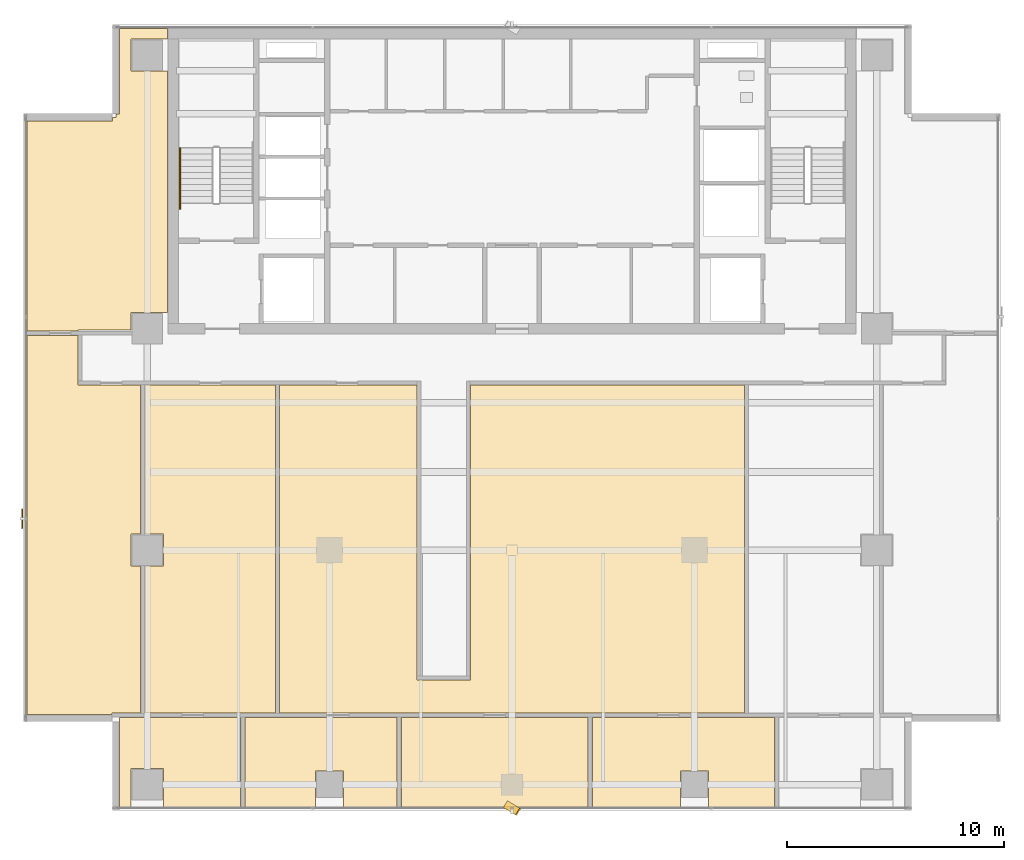
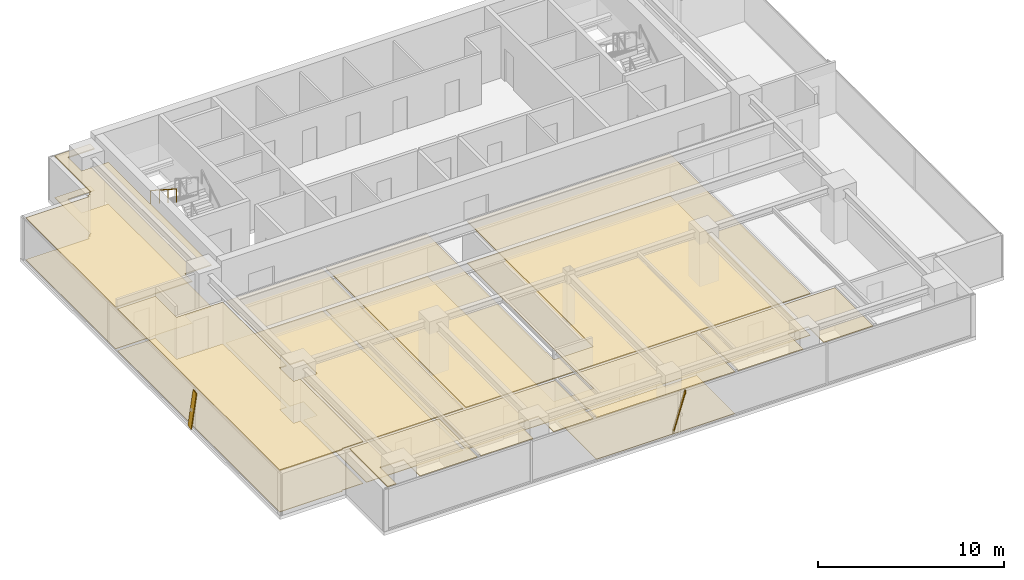
# One storey, part 23 of 26: 13 coverings, 2 shading devices, 1 railing.
"""IFC4 building model written with IfcOpenShell, lengths in metres."""

from ifc_helpers import new_model, si_unit, direction, frame, origin, origin_2d, place, context, subcontext, project, spatial, polyline, rectangle, outline, extrude, source, transform, mapped, material, layer, layer_set, material_profile, profile_set, type_object, element, save


model = new_model("IFC4")

# Units and contexts
model_context = context("Model", 3, precision=1e-05, world=origin(), true_north=direction((0.0, 1.0)))
body_context = subcontext(model_context, "Body", "Model", "MODEL_VIEW")
ifc_project = project(units=[si_unit("LENGTHUNIT", "METRE"), si_unit("AREAUNIT", "SQUARE_METRE"), si_unit("VOLUMEUNIT", "CUBIC_METRE"), si_unit("PLANEANGLEUNIT", "RADIAN"), si_unit("MASSUNIT", "GRAM", prefix="KILO")], contexts=[model_context])

# Site, building, storey
site_placement = place(None, origin())
site = spatial("IfcSite", under=ifc_project, at=site_placement, CompositionType="ELEMENT")
building_placement = place(site_placement, origin())
building = spatial("IfcBuilding", under=site, at=building_placement, Name="Sumidabori Civic Tower", CompositionType="ELEMENT")
storey_placement = place(building_placement, frame((0.0, 0.0, 261.199951171875)))
storey = spatial("IfcBuildingStorey", under=building, at=storey_placement, Name="L68", CompositionType="ELEMENT", Elevation=261.199951171875)

# Coverings
ifc_material_1 = material(Name="Gypsum Coffered Acoustic Ceiling")
ifc_layer_1 = layer(ifc_material_1, 0.06494140625, Name="Gypsum Coffered Acoustic Ceiling")
ifc_layer_set_1 = layer_set([ifc_layer_1], Name="Gypsum Coffered Acoustic Ceiling")
covering_type_1 = type_object("IfcCoveringType", Name="CV-CEIL-AC4", PredefinedType="CEILING", material=ifc_layer_set_1)
covering_1_placement = place(storey_placement, frame((0.0, 0.0, 2.719970703125)))
element("IfcCovering", 1, at=covering_1_placement, inside=storey, type_object=covering_type_1, Name="Room Acoustic Ceiling L68-01", PredefinedType="CEILING", context=body_context, shape_type="SweptSolid", body=[
    extrude(outline(polyline([(-22.330078125, 10.1025390625), (-22.330078125, 19.77197265625), (-18.39208984375, 19.77197265625), (-18.39208984375, 19.929931640625), (-18.22998046875, 19.929931640625), (-18.22998046875, 20.092041015625), (-18.072021484375, 20.092041015625), (-18.072021484375, 24.030029296875), (-15.8779296875, 24.030029296875), (-15.8779296875, 23.5400390625), (-17.5400390625, 23.5400390625), (-17.5400390625, 22.06005859375), (-15.8779296875, 22.06005859375), (-15.8779296875, 10.93994140625), (-17.5400390625, 10.93994140625), (-17.5400390625, 10.135009765625), (-19.985107421875, 10.135009765625), (-19.985107421875, 10.1025390625), (-22.330078125, 10.1025390625)])), origin(), (0.0, 0.0, 1.0), 0.065185546875),
])
covering_2_placement = place(storey_placement, frame((0.0, 0.0, 2.719970703125)))
element("IfcCovering", 2, at=covering_2_placement, inside=storey, type_object=covering_type_1, Name="Room Acoustic Ceiling L68-03", PredefinedType="CEILING", context=body_context, shape_type="SweptSolid", body=[
    extrude(outline(polyline([(-19.985107421875, 7.614990234375), (-17.1025390625, 7.614990234375), (-17.1025390625, 0.739990234375), (-17.5400390625, 0.739990234375), (-17.5400390625, -0.739990234375), (-17.1025390625, -0.739990234375), (-17.1025390625, -7.49755859375), (-18.431884765625, -7.49755859375), (-18.431884765625, -7.572021484375), (-22.330078125, -7.572021484375), (-22.330078125, 9.8974609375), (-19.985107421875, 9.8974609375), (-19.985107421875, 7.614990234375)])), origin(), (0.0, 0.0, 1.0), 0.065185546875),
])
covering_3_placement = place(storey_placement, frame((0.0, 0.0, 2.719970703125)))
element("IfcCovering", 3, at=covering_3_placement, inside=storey, type_object=covering_type_1, Name="Room Acoustic Ceiling L68-05", PredefinedType="CEILING", context=body_context, shape_type="SweptSolid", body=[
    extrude(outline(polyline([(-16.8974609375, -0.739990234375), (-16.06005859375, -0.739990234375), (-16.06005859375, 0.739990234375), (-16.8974609375, 0.739990234375), (-16.8974609375, 7.614990234375), (-10.902587890625, 7.614990234375), (-10.902587890625, -7.49755859375), (-16.8974609375, -7.49755859375), (-16.8974609375, -0.739990234375)])), origin(), (0.0, 0.0, 1.0), 0.065185546875),
])
covering_4_placement = place(storey_placement, frame((0.0, 0.0, 2.719970703125)))
element("IfcCovering", 4, at=covering_4_placement, inside=storey, type_object=covering_type_1, Name="Room Acoustic Ceiling L68-07", PredefinedType="CEILING", context=body_context, shape_type="SweptSolid", body=[
    extrude(outline(polyline([(-10.697509765625, 7.614990234375), (-4.385009765625, 7.614990234375), (-4.385009765625, -5.985107421875), (-1.9150390625, -5.985107421875), (-1.9150390625, 7.614990234375), (10.697509765625, 7.614990234375), (10.697509765625, -7.49755859375), (-10.697509765625, -7.49755859375), (-10.697509765625, 7.614990234375)])), origin(), (0.0, 0.0, 1.0), 0.065185546875),
])
covering_5_placement = place(storey_placement, frame((0.0, 0.0, 2.719970703125)))
element("IfcCovering", 5, at=covering_5_placement, inside=storey, type_object=covering_type_1, Name="Room Acoustic Ceiling L68-08", PredefinedType="CEILING", context=body_context, shape_type="SweptSolid", body=[
    extrude(outline(polyline([(-12.50244140625, -11.830078125), (-16.06005859375, -11.830078125), (-16.06005859375, -10.06005859375), (-17.5400390625, -10.06005859375), (-17.5400390625, -11.830078125), (-18.072021484375, -11.830078125), (-18.072021484375, -7.702392578125), (-12.50244140625, -7.702392578125), (-12.50244140625, -11.830078125)])), origin(), (0.0, 0.0, 1.0), 0.065185546875),
])
covering_6_placement = place(storey_placement, frame((0.0, 0.0, 2.719970703125)))
element("IfcCovering", 6, at=covering_6_placement, inside=storey, type_object=covering_type_1, Name="Room Acoustic Ceiling L68-10", PredefinedType="CEILING", context=body_context, shape_type="SweptSolid", body=[
    extrude(outline(polyline([(-5.302490234375, -11.830078125), (-7.760009765625, -11.830078125), (-7.760009765625, -10.159912109375), (-9.0400390625, -10.159912109375), (-9.0400390625, -11.830078125), (-12.297607421875, -11.830078125), (-12.297607421875, -7.702392578125), (-5.302490234375, -7.702392578125), (-5.302490234375, -11.830078125)])), origin(), (0.0, 0.0, 1.0), 0.065185546875),
])
covering_7_placement = place(storey_placement, frame((0.0, 0.0, 2.719970703125)))
element("IfcCovering", 7, at=covering_7_placement, inside=storey, type_object=covering_type_1, Name="Room Acoustic Ceiling L68-11", PredefinedType="CEILING", context=body_context, shape_type="SweptSolid", body=[
    extrude(outline(polyline([(3.49755859375, -11.830078125), (-5.097412109375, -11.830078125), (-5.097412109375, -7.702392578125), (3.49755859375, -7.702392578125), (3.49755859375, -11.830078125)])), origin(), (0.0, 0.0, 1.0), 0.065185546875),
])
covering_8_placement = place(storey_placement, frame((0.0, 0.0, 2.719970703125)))
element("IfcCovering", 8, at=covering_8_placement, inside=storey, type_object=covering_type_1, Name="Room Acoustic Ceiling L68-12", PredefinedType="CEILING", context=body_context, shape_type="SweptSolid", body=[
    extrude(outline(polyline([(12.097412109375, -11.830078125), (9.0400390625, -11.830078125), (9.0400390625, -10.159912109375), (7.760009765625, -10.159912109375), (7.760009765625, -11.830078125), (3.702392578125, -11.830078125), (3.702392578125, -7.702392578125), (12.097412109375, -7.702392578125), (12.097412109375, -11.830078125)])), origin(), (0.0, 0.0, 1.0), 0.065185546875),
])
ifc_material_2 = material(Name="Honed Terrazzo Tile Flooring")
ifc_layer_2 = layer(ifc_material_2, 0.030029296875, Name="Honed Terrazzo Tile Flooring")
ifc_layer_set_2 = layer_set([ifc_layer_2], Name="Honed Terrazzo Tile Flooring")
covering_type_2 = type_object("IfcCoveringType", Name="CV-FLR-TER", PredefinedType="FLOORING", material=ifc_layer_set_2)
covering_9_placement = place(storey_placement, origin())
element("IfcCovering", 9, at=covering_9_placement, inside=storey, type_object=covering_type_2, Name="Room Terrazzo Floor L68-01", PredefinedType="FLOORING", context=body_context, shape_type="SweptSolid", body=[
    extrude(outline(polyline([(-22.330078125, 10.1025390625), (-22.330078125, 19.77197265625), (-18.39208984375, 19.77197265625), (-18.39208984375, 19.929931640625), (-18.22998046875, 19.929931640625), (-18.22998046875, 20.092041015625), (-18.072021484375, 20.092041015625), (-18.072021484375, 24.030029296875), (-15.8779296875, 24.030029296875), (-15.8779296875, 23.5400390625), (-17.5400390625, 23.5400390625), (-17.5400390625, 22.06005859375), (-15.8779296875, 22.06005859375), (-15.8779296875, 10.93994140625), (-17.5400390625, 10.93994140625), (-17.5400390625, 10.135009765625), (-19.985107421875, 10.135009765625), (-19.985107421875, 10.1025390625), (-22.330078125, 10.1025390625)])), origin(), (0.0, 0.0, 1.0), 0.030029296875),
])
covering_10_placement = place(storey_placement, origin())
element("IfcCovering", 10, at=covering_10_placement, inside=storey, type_object=covering_type_2, Name="Room Terrazzo Floor L68-03", PredefinedType="FLOORING", context=body_context, shape_type="SweptSolid", body=[
    extrude(outline(polyline([(-19.985107421875, 7.614990234375), (-17.1025390625, 7.614990234375), (-17.1025390625, 0.739990234375), (-17.5400390625, 0.739990234375), (-17.5400390625, -0.739990234375), (-17.1025390625, -0.739990234375), (-17.1025390625, -7.49755859375), (-18.431884765625, -7.49755859375), (-18.431884765625, -7.572021484375), (-22.330078125, -7.572021484375), (-22.330078125, 9.8974609375), (-19.985107421875, 9.8974609375), (-19.985107421875, 7.614990234375)])), origin(), (0.0, 0.0, 1.0), 0.030029296875),
])
covering_11_placement = place(storey_placement, origin())
element("IfcCovering", 11, at=covering_11_placement, inside=storey, type_object=covering_type_2, Name="Room Terrazzo Floor L68-05", PredefinedType="FLOORING", context=body_context, shape_type="SweptSolid", body=[
    extrude(outline(polyline([(-16.8974609375, -0.739990234375), (-16.06005859375, -0.739990234375), (-16.06005859375, 0.739990234375), (-16.8974609375, 0.739990234375), (-16.8974609375, 7.614990234375), (-10.902587890625, 7.614990234375), (-10.902587890625, -7.49755859375), (-16.8974609375, -7.49755859375), (-16.8974609375, -0.739990234375)])), origin(), (0.0, 0.0, 1.0), 0.030029296875),
])
covering_12_placement = place(storey_placement, origin())
element("IfcCovering", 12, at=covering_12_placement, inside=storey, type_object=covering_type_2, Name="Room Terrazzo Floor L68-07", PredefinedType="FLOORING", context=body_context, shape_type="SweptSolid", body=[
    extrude(outline(polyline([(-10.697509765625, 7.614990234375), (-4.385009765625, 7.614990234375), (-4.385009765625, -5.985107421875), (-1.9150390625, -5.985107421875), (-1.9150390625, 7.614990234375), (10.697509765625, 7.614990234375), (10.697509765625, -7.49755859375), (-10.697509765625, -7.49755859375), (-10.697509765625, 7.614990234375)])), origin(), (0.0, 0.0, 1.0), 0.030029296875),
])
covering_13_placement = place(storey_placement, origin())
element("IfcCovering", 13, at=covering_13_placement, inside=storey, type_object=covering_type_2, Name="Room Terrazzo Floor L68-11", PredefinedType="FLOORING", context=body_context, shape_type="SweptSolid", body=[
    extrude(outline(polyline([(3.49755859375, -11.830078125), (-5.097412109375, -11.830078125), (-5.097412109375, -7.702392578125), (3.49755859375, -7.702392578125), (3.49755859375, -11.830078125)])), origin(), (0.0, 0.0, 1.0), 0.030029296875),
])

# Railing
ifc_material_3 = material(Name="Stainless Steel Hairline Finish", Category="steel")
railing_type = type_object("IfcRailingType", Name="RL-HANDRAIL", PredefinedType="HANDRAIL", material=ifc_material_3)
railing_placement = place(storey_placement, frame((-15.2900390625, 18.52001953125, 1.97998046875)))
element("IfcRailing", 14, at=railing_placement, inside=storey, type_object=railing_type, Name="L68 ST-1 stair handrail 2", PredefinedType="HANDRAIL", context=body_context, shape_type="SweptSolid", body=[
    extrude(rectangle(XDim=0.048095703125, YDim=0.048095703125, at=origin_2d()), frame((0.0, 0.0, 0.8759765625), z_axis=(0.0, -0.84064222762, 0.54159084662), x_axis=(1.0, 0.0, 0.0)), (0.0, 0.0, 1.0), 3.330810546875),
    extrude(rectangle(XDim=0.0419921875, YDim=0.0419921875, at=origin_2d()), origin(), (0.0, 0.0, 1.0), 0.851806640625),
    extrude(rectangle(XDim=0.0419921875, YDim=0.0419921875, at=origin_2d()), frame((0.0, -0.933349609375, 0.601318359375)), (0.0, 0.0, 1.0), 0.851806640625),
    extrude(rectangle(XDim=0.0419921875, YDim=0.0419921875, at=origin_2d()), frame((0.0, -1.86669921875, 1.20263671875)), (0.0, 0.0, 1.0), 0.851806640625),
    extrude(rectangle(XDim=0.0419921875, YDim=0.0419921875, at=origin_2d()), frame((0.0, -2.800048828125, 1.803955078125)), (0.0, 0.0, 1.0), 0.851806640625),
])

# Shading devices
ifc_material_4 = material(Name="Anodised Bronze Aluminium AW-6063-T6", Category="aluminium")
ifc_material_profile = material_profile(ifc_material_4, rectangle(XDim=0.054931640625, YDim=0.360107421875, at=origin_2d()), Name="BRONZE FIN 360x55")
ifc_profile_set = profile_set([ifc_material_profile], Name="Anodised Bronze Aluminium AW-6063-T6")
shading_device_type = type_object("IfcShadingDeviceType", Name="SH-FIN-360", PredefinedType="USERDEFINED", material=ifc_profile_set)
shared_shape_1 = source(origin(), body_context, "Body", "SweptSolid", [
    extrude(rectangle(XDim=0.054931640625, YDim=0.360107421875, at=origin_2d()), origin(), (0.0, 0.0, 1.0), 2.7685546875),
])
shading_device_1_placement = place(storey_placement, frame((-0.280029296875, -11.7099609375, 0.02001953125), z_axis=(0.202289930374, -0.122837782481, 0.971591304646), x_axis=(0.830469701518, -0.504291322674, -0.236665030656)))
element("IfcShadingDevice", 15, at=shading_device_1_placement, inside=storey, type_object=shading_device_type, Name="Bronze Anodised Diagonal Fin L68-02", ObjectType="FIN", PredefinedType="USERDEFINED", context=body_context, shape_type="MappedRepresentation", body=[
    mapped(shared_shape_1, transform((0.0, 0.0, 0.0), x_axis=(1.0, 0.0, 0.0), y_axis=(0.0, 1.0, 0.0), z_axis=(0.0, 0.0, 1.0), scale=1.0)),
])
shared_shape_2 = source(origin(), body_context, "Body", "SweptSolid", [
    extrude(rectangle(XDim=0.054931640625, YDim=0.360107421875, at=origin_2d()), origin(), (0.0, 0.0, 1.0), 2.74755859375),
])
shading_device_2_placement = place(storey_placement, frame((-22.550048828125, 1.723388671875, 0.02001953125), z_axis=(0.0, -0.20383361069, 0.979005546028), x_axis=(-1.0, 0.0, 0.0)))
element("IfcShadingDevice", 16, at=shading_device_2_placement, inside=storey, type_object=shading_device_type, Name="Bronze Anodised Diagonal Fin L68-02", ObjectType="FIN", PredefinedType="USERDEFINED", context=body_context, shape_type="MappedRepresentation", body=[
    mapped(shared_shape_2, transform((0.0, 0.0, 0.0), x_axis=(1.0, 0.0, 0.0), y_axis=(0.0, 1.0, 0.0), z_axis=(0.0, 0.0, 1.0), scale=1.0)),
])

save(model, "model.ifc")
